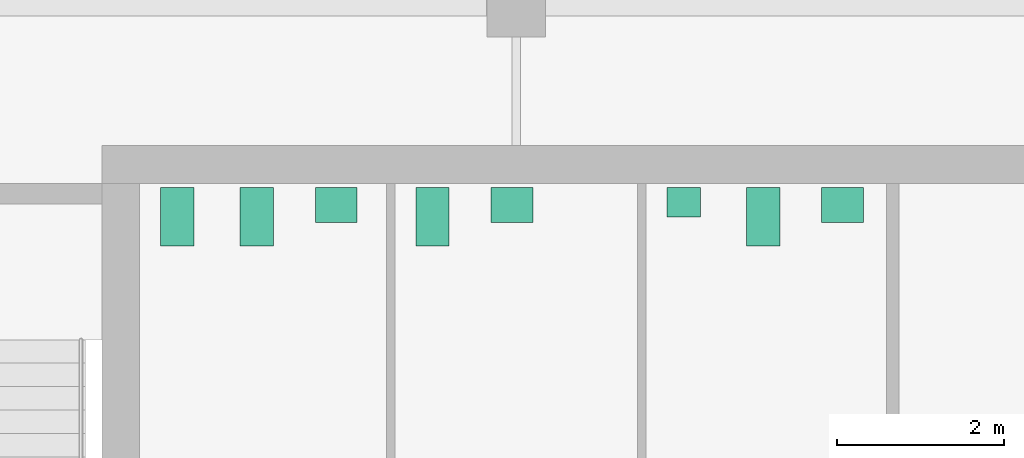
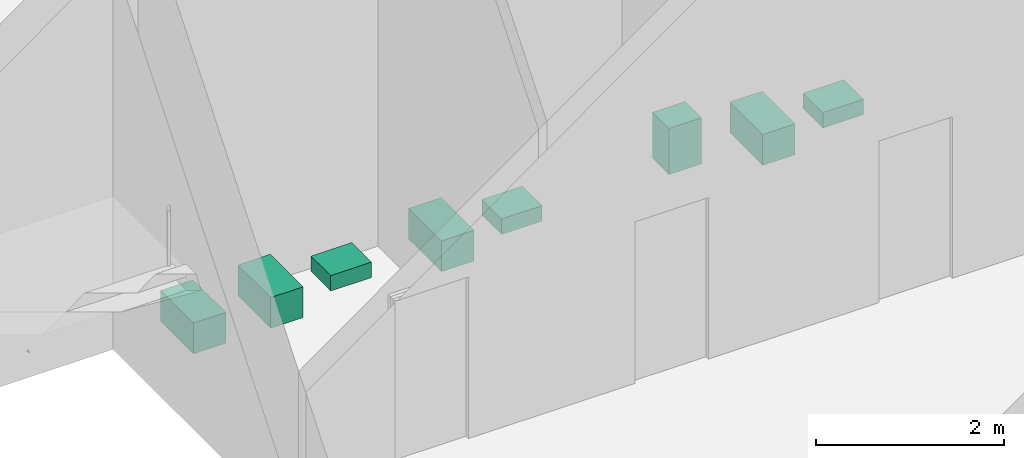
# One storey, part 12 of 12: 8 sanitary terminals.
"""IFC4 building model written with IfcOpenShell, lengths in metres."""

from ifc_helpers import new_model, si_unit, direction, frame, origin, origin_2d, place, context, subcontext, project, spatial, rectangle, extrude, material, type_object, element, save


model = new_model("IFC4")

# Units and contexts
model_context = context("Model", 3, precision=1e-05, world=origin(), true_north=direction((0.0, 1.0)))
body_context = subcontext(model_context, "Body", "Model", "MODEL_VIEW")
ifc_project = project(units=[si_unit("LENGTHUNIT", "METRE"), si_unit("AREAUNIT", "SQUARE_METRE"), si_unit("VOLUMEUNIT", "CUBIC_METRE"), si_unit("PLANEANGLEUNIT", "RADIAN"), si_unit("MASSUNIT", "GRAM", prefix="KILO")], contexts=[model_context])

# Site, building, storey
site_placement = place(None, origin())
site = spatial("IfcSite", under=ifc_project, at=site_placement, CompositionType="ELEMENT")
building_placement = place(site_placement, origin())
building = spatial("IfcBuilding", under=site, at=building_placement, Name="Cinnabar Reach Civic Tower", CompositionType="ELEMENT")
storey_placement = place(building_placement, frame((0.0, 0.0, 283.0)))
storey = spatial("IfcBuildingStorey", under=building, at=storey_placement, Name="L68", CompositionType="ELEMENT", Elevation=283.0)

# Sanitary terminals
ifc_material = material(Name="Vitreous china")
sanitary_terminal_type_1 = type_object("IfcSanitaryTerminalType", Name="T1 WC pan", PredefinedType="TOILETPAN", material=ifc_material)
for number, where, z_axis, x_axis, name in (
    (1, (4.95, 41.6, 0.0), (0.0, 0.0, 1.0), (1.0, 0.0, 0.0), "T1 WC pan 6808-1"),
    (2, (5.9, 41.6, 0.0), (0.0, 0.0, 1.0), (1.0, 0.0, 0.0), "T1 WC pan 6808-2"),
    (3, (8.0, 41.6, 0.0), (0.0, 0.0, 1.0), (1.0, 0.0, 0.0), "T1 WC pan 6809-1"),
    (4, (11.95, 41.6, 0.0), (0.0, 0.0, 1.0), (1.0, 0.0, 0.0), "T1 WC pan 6810-2"),
):
    element("IfcSanitaryTerminal", number, at=place(storey_placement, frame(where, z_axis=z_axis, x_axis=x_axis)), inside=storey, type_object=sanitary_terminal_type_1, Name=name, PredefinedType="TOILETPAN", context=body_context, shape_type="SweptSolid", body=[
        extrude(rectangle(XDim=0.4, YDim=0.7, at=origin_2d()), origin(), (0.0, 0.0, 1.0), 0.4),
    ])
sanitary_terminal_type_2 = type_object("IfcSanitaryTerminalType", Name="T1 urinal", PredefinedType="URINAL", material=ifc_material)
sanitary_terminal_placement = place(storey_placement, frame((11.0, 41.775, 0.0), z_axis=(0.0, 0.0, 1.0), x_axis=(1.0, 0.0, 0.0)))
element("IfcSanitaryTerminal", 5, at=sanitary_terminal_placement, inside=storey, type_object=sanitary_terminal_type_2, Name="T1 urinal 6810-1", PredefinedType="URINAL", context=body_context, shape_type="SweptSolid", body=[
    extrude(rectangle(XDim=0.4, YDim=0.35, at=origin_2d()), origin(), (0.0, 0.0, 1.0), 0.6),
])
sanitary_terminal_type_3 = type_object("IfcSanitaryTerminalType", Name="T1 wash basin", PredefinedType="WASHHANDBASIN", material=ifc_material)
for number, where, z_axis, x_axis, name in (
    (6, (6.85, 41.74, 0.0), (0.0, 0.0, 1.0), (1.0, 0.0, 0.0), "T1 wash basin 6808-3"),
    (7, (8.95, 41.74, 0.0), (0.0, 0.0, 1.0), (1.0, 0.0, 0.0), "T1 wash basin 6809-2"),
    (8, (12.9, 41.74, 0.0), (0.0, 0.0, 1.0), (1.0, 0.0, 0.0), "T1 wash basin 6810-3"),
):
    element("IfcSanitaryTerminal", number, at=place(storey_placement, frame(where, z_axis=z_axis, x_axis=x_axis)), inside=storey, type_object=sanitary_terminal_type_3, Name=name, PredefinedType="WASHHANDBASIN", context=body_context, shape_type="SweptSolid", body=[
        extrude(rectangle(XDim=0.5, YDim=0.42, at=origin_2d()), origin(), (0.0, 0.0, 1.0), 0.2),
    ])

save(model, "model.ifc")
